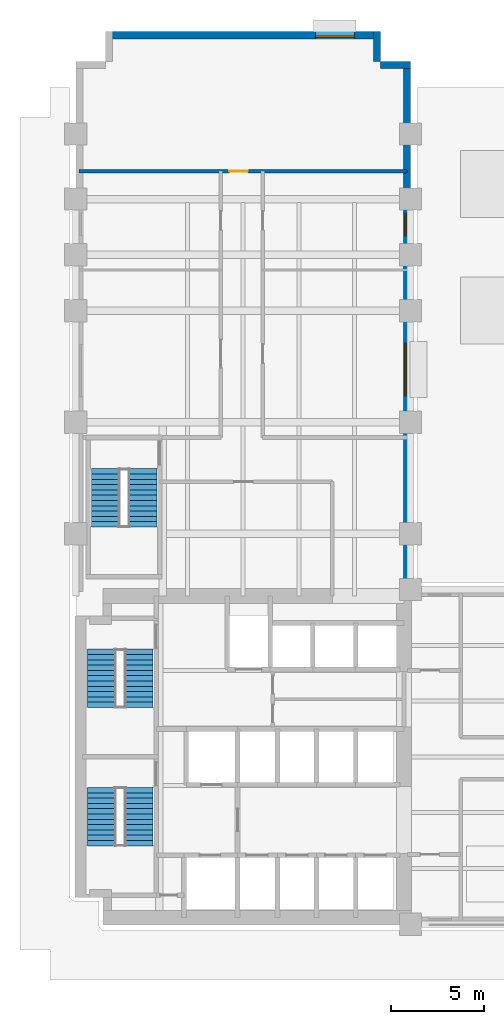
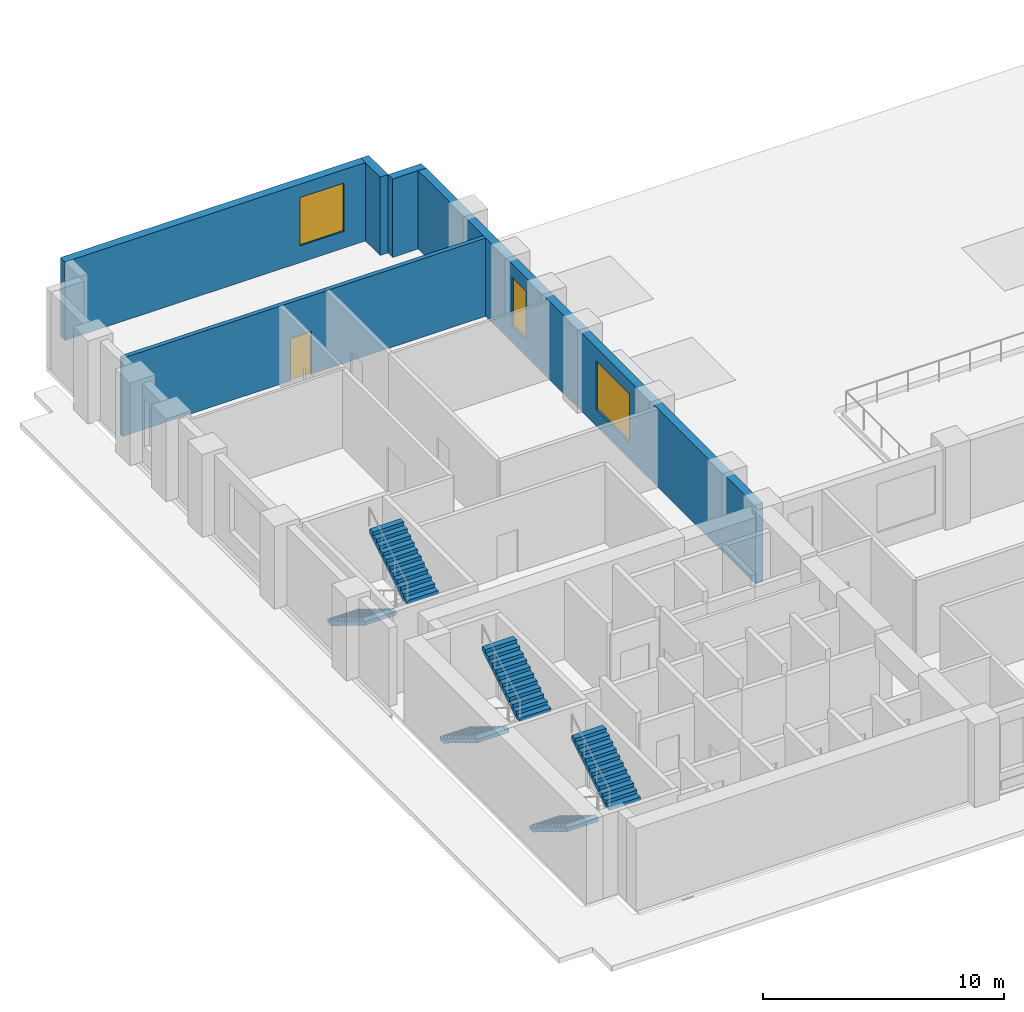
# One storey, part 7 of 9: 6 stair flights, 5 walls, 3 windows, 1 door, 4 openings, 3 elements without a shape of their own.
"""IFC4 building model written with IfcOpenShell, lengths in metres."""

from ifc_helpers import new_model, si_unit, direction, frame, frame_2d, origin, place, context, subcontext, project, spatial, polyline, rectangle, outline, extrude, material, layer, layer_set, type_object, element, fill, aggregate, save


model = new_model("IFC4")

# Units and contexts
model_context = context("Model", 3, precision=1e-05, world=origin(), true_north=direction((0.0, 1.0)))
body_context = subcontext(model_context, "Body", "Model", "MODEL_VIEW")
ifc_project = project(units=[si_unit("LENGTHUNIT", "METRE"), si_unit("AREAUNIT", "SQUARE_METRE"), si_unit("VOLUMEUNIT", "CUBIC_METRE"), si_unit("PLANEANGLEUNIT", "RADIAN"), si_unit("MASSUNIT", "GRAM", prefix="KILO")], contexts=[model_context])

# Site, building, storey
site_placement = place(None, origin())
site = spatial("IfcSite", under=ifc_project, at=site_placement, CompositionType="ELEMENT")
building_placement = place(site_placement, origin())
building = spatial("IfcBuilding", under=site, at=building_placement, Name="Mawjdan Bourse Tower", CompositionType="ELEMENT")
storey_placement = place(building_placement, frame((0.0, 0.0, 21.60009765625)))
storey = spatial("IfcBuildingStorey", under=building, at=storey_placement, Name="L04", CompositionType="ELEMENT", Elevation=21.60009765625)

# Wall, openings, windows
ifc_material_1 = material(Name="Brick Masonry Terracotta Red", Category="masonry")
ifc_layer_1 = layer(ifc_material_1, 0.3798828125)
ifc_layer_set_1 = layer_set([ifc_layer_1], Name="Brick Masonry Terracotta Red")
wall_type_1 = type_object("IfcWallType", Name="WL-BRK-RED-380", PredefinedType="STANDARD", material=ifc_layer_set_1)
wall_1_placement = place(storey_placement, frame((23.81005859375, 21.0, 0.0), z_axis=(0.0, 0.0, 1.0), x_axis=(0.0, 1.0, 0.0)))
wall_1 = element("IfcWall", 1, at=wall_1_placement, inside=storey, type_object=wall_type_1, Name="L04 Exterior Brick Wall 8", PredefinedType="STANDARD", context=body_context, shape_type="SweptSolid", body=[
    extrude(rectangle(XDim=28.39990234375, YDim=0.3798828125, at=frame_2d((14.199951171875, 0.0))), origin(), (0.0, 0.0, 1.0), 3.97998046875),
])
opening_1_placement = place(wall_1_placement, frame((10.433349609375, 0.0, 0.85009765625)))
opening_1 = element("IfcOpeningElement", 2, at=opening_1_placement, cuts=wall_1, Name="Opening W-L04-03", PredefinedType="OPENING", context=body_context, shape_type="SweptSolid", body=[
    extrude(rectangle(XDim=2.800048828125, YDim=2.449951171875, at=frame_2d((1.39990234375, 1.22509765625))), frame((0.0, 0.199951171875, 0.0), z_axis=(0.0, -1.0, 0.0), x_axis=(1.0, 0.0, 0.0)), (0.0, 0.0, 1.0), 0.39990234375),
])
opening_2_placement = place(wall_1_placement, frame((19.034423828125, 0.0, 0.85009765625)))
opening_2 = element("IfcOpeningElement", 3, at=opening_2_placement, cuts=wall_1, Name="Opening W-L04-15", PredefinedType="OPENING", context=body_context, shape_type="SweptSolid", body=[
    extrude(rectangle(XDim=1.199951171875, YDim=2.449951171875, at=frame_2d((0.60009765625, 1.22509765625))), frame((0.0, 0.199951171875, 0.0), z_axis=(0.0, -1.0, 0.0), x_axis=(1.0, 0.0, 0.0)), (0.0, 0.0, 1.0), 0.39990234375),
])
ifc_material_2 = material(Name="Solar-Control Clear Double Glazing", Category="glass")
window_type_1 = type_object("IfcWindowType", Name="WN-TRD-1200", PartitioningType="SINGLE_PANEL", PredefinedType="WINDOW", material=ifc_material_2)
window_1_placement = place(opening_2_placement, origin())
window_1 = element("IfcWindow", 4, at=window_1_placement, inside=storey, type_object=window_type_1, Name="L04 Deep-Set Masonry Window W-L04-15", OverallHeight=2.449951171875, OverallWidth=1.199951171875, PartitioningType="SINGLE_PANEL", PredefinedType="WINDOW", context=body_context, shape_type="SweptSolid", body=[
    extrude(rectangle(XDim=1.199951171875, YDim=2.449951171875, at=frame_2d((0.60009765625, 1.22509765625))), frame((0.0, 0.110107421875, 0.0), z_axis=(0.0, -1.0, 0.0), x_axis=(1.0, 0.0, 0.0)), (0.0, 0.0, 1.0), 0.06005859375),
])
fill(opening_2, window_1)
window_type_2 = type_object("IfcWindowType", Name="WN-TRD-2800", PartitioningType="SINGLE_PANEL", PredefinedType="WINDOW", material=ifc_material_2)
window_2_placement = place(opening_1_placement, origin())
window_2 = element("IfcWindow", 5, at=window_2_placement, inside=storey, type_object=window_type_2, Name="L04 Deep-Set Masonry Window W-L04-03", OverallHeight=2.449951171875, OverallWidth=2.800048828125, PartitioningType="SINGLE_PANEL", PredefinedType="WINDOW", context=body_context, shape_type="SweptSolid", body=[
    extrude(rectangle(XDim=2.800048828125, YDim=2.449951171875, at=frame_2d((1.39990234375, 1.22509765625))), frame((0.0, 0.110107421875, 0.0), z_axis=(0.0, -1.0, 0.0), x_axis=(1.0, 0.0, 0.0)), (0.0, 0.0, 1.0), 0.06005859375),
])
fill(opening_1, window_2)

# Walls
for number, where, z_axis, x_axis, name in (
    (6, (24.0, 49.2099609375, 0.0), (0.0, 0.0, 1.0), (-1.0, 0.0, 0.0), "L04 Exterior Brick Wall 9"),
    (7, (22.2099609375, 49.39990234375, 0.0), (0.0, 0.0, 1.0), (0.0, 1.0, 0.0), "L04 Exterior Brick Wall 10"),
):
    element("IfcWall", number, at=place(storey_placement, frame(where, z_axis=z_axis, x_axis=x_axis)), inside=storey, type_object=wall_type_1, Name=name, PredefinedType="STANDARD", context=body_context, shape_type="SweptSolid", body=[
        extrude(rectangle(XDim=1.60009765625, YDim=0.3798828125, at=frame_2d((0.800048828125, 0.0))), origin(), (0.0, 0.0, 1.0), 3.97998046875),
    ])

# Wall, opening, window
wall_2_placement = place(storey_placement, frame((22.39990234375, 50.81005859375, 0.0), z_axis=(0.0, 0.0, 1.0), x_axis=(-1.0, 0.0, 0.0)))
wall_2 = element("IfcWall", 8, at=wall_2_placement, inside=storey, type_object=wall_type_1, Name="L04 Exterior Brick Wall 11", PredefinedType="STANDARD", context=body_context, shape_type="SweptSolid", body=[
    extrude(rectangle(XDim=14.7998046875, YDim=0.3798828125, at=frame_2d((7.39990234375, 0.0))), origin(), (0.0, 0.0, 1.0), 3.97998046875),
])
opening_3_placement = place(wall_2_placement, frame((1.416748046875, 0.0, 0.85009765625)))
opening_3 = element("IfcOpeningElement", 9, at=opening_3_placement, cuts=wall_2, Name="Opening W-L04-04", PredefinedType="OPENING", context=body_context, shape_type="SweptSolid", body=[
    extrude(rectangle(XDim=2.10009765625, YDim=2.449951171875, at=frame_2d((1.050048828125, 1.22509765625))), frame((0.0, 0.199951171875, 0.0), z_axis=(0.0, -1.0, 0.0), x_axis=(1.0, 0.0, 0.0)), (0.0, 0.0, 1.0), 0.39990234375),
])
window_type_3 = type_object("IfcWindowType", Name="WN-TRD-2100", PartitioningType="SINGLE_PANEL", PredefinedType="WINDOW", material=ifc_material_2)
window_3_placement = place(opening_3_placement, origin())
window_3 = element("IfcWindow", 10, at=window_3_placement, inside=storey, type_object=window_type_3, Name="L04 Deep-Set Masonry Window W-L04-04", OverallHeight=2.449951171875, OverallWidth=2.10009765625, PartitioningType="SINGLE_PANEL", PredefinedType="WINDOW", context=body_context, shape_type="SweptSolid", body=[
    extrude(rectangle(XDim=2.10009765625, YDim=2.449951171875, at=frame_2d((1.050048828125, 1.22509765625))), frame((0.0, 0.110107421875, 0.0), z_axis=(0.0, -1.0, 0.0), x_axis=(1.0, 0.0, 0.0)), (0.0, 0.0, 1.0), 0.06005859375),
])
fill(opening_3, window_3)

# Wall, opening, door
ifc_material_3 = material(Name="Gypsum Fireboard Assembly")
ifc_layer_2 = layer(ifc_material_3, 0.199951171875)
ifc_layer_set_2 = layer_set([ifc_layer_2], Name="Gypsum Fireboard Assembly")
wall_type_2 = type_object("IfcWallType", Name="WL-CMP-200", PredefinedType="PARTITIONING", material=ifc_layer_set_2)
wall_3_placement = place(storey_placement, frame((6.179931640625, 43.5, 0.0), z_axis=(0.0, 0.0, 1.0), x_axis=(1.0, 0.0, 0.0)))
wall_3 = element("IfcWall", 11, at=wall_3_placement, inside=storey, type_object=wall_type_2, Name="L04 North Tip Full Cross Wall", PredefinedType="PARTITIONING", context=body_context, shape_type="SweptSolid", body=[
    extrude(rectangle(XDim=17.64013671875, YDim=0.199951171875, at=frame_2d((8.820068359375, 0.0))), origin(), (0.0, 0.0, 1.0), 3.969970703125),
])
opening_4_placement = place(wall_3_placement, frame((8.074951171875, 0.0, 0.0)))
opening_4 = element("IfcOpeningElement", 12, at=opening_4_placement, cuts=wall_3, Name="Opening D-L04-31", PredefinedType="OPENING", context=body_context, shape_type="SweptSolid", body=[
    extrude(rectangle(XDim=1.0, YDim=2.14990234375, at=frame_2d((0.5, 1.074951171875))), frame((0.0, 0.10986328125, 0.0), z_axis=(0.0, -1.0, 0.0), x_axis=(1.0, 0.0, 0.0)), (0.0, 0.0, 1.0), 0.219970703125),
])
ifc_material_4 = material(Name="Hardwood Acoustic Leaf", Category="wood")
door_type = type_object("IfcDoorType", Name="DR-OFC-1000", OperationType="NOTDEFINED", PredefinedType="DOOR", material=ifc_material_4)
door_placement = place(opening_4_placement, origin())
door = element("IfcDoor", 13, at=door_placement, inside=storey, type_object=door_type, Name="L04 North Tip Suite Door D-L04-31", OperationType="SINGLE_SWING_LEFT", OverallHeight=2.14990234375, OverallWidth=1.0, PredefinedType="DOOR", context=body_context, shape_type="SweptSolid", body=[
    extrude(rectangle(XDim=1.0, YDim=2.14990234375, at=frame_2d((0.5, 1.074951171875))), frame((0.0, 0.02490234375, 0.0), z_axis=(0.0, -1.0, 0.0), x_axis=(1.0, 0.0, 0.0)), (0.0, 0.0, 1.0), 0.050048828125),
])
fill(opening_4, door)

# Stair, stair flights
ifc_material_5 = material(Name="Concrete C50/60", Category="concrete")
stair_type = type_object("IfcStairType", Name="STR-CORE-1500", PredefinedType="HALF_TURN_STAIR", material=ifc_material_5)
stair_1_placement = place(storey_placement, origin())
stair_1 = element("IfcStair", 14, at=stair_1_placement, inside=storey, type_object=stair_type, Name="L04 Exit Stair 1 (Core South-West)", PredefinedType="HALF_TURN_STAIR")
stair_flight_type = type_object("IfcStairFlightType", Name="SFL-RC-1500", PredefinedType="STRAIGHT", material=ifc_material_5)
stair_flight_1_placement = place(storey_placement, frame((7.389892578125, 10.35009765625, 0.0), z_axis=(0.0, 0.0, 1.0), x_axis=(0.0, -1.0, 0.0)))
stair_flight_1 = element("IfcStairFlight", 15, at=stair_flight_1_placement, type_object=stair_flight_type, Name="ST1-L04 flight 1", NumberOfRisers=12, NumberOfTreads=11, PredefinedType="STRAIGHT", RiserHeight=0.175, TreadLength=0.285, context=body_context, shape_type="SweptSolid", body=[
    extrude(outline(polyline([(0.0, 0.0), (0.0, 0.175048828125), (0.284912109375, 0.175048828125), (0.284912109375, 0.35009765625), (0.570068359375, 0.35009765625), (0.570068359375, 0.52490234375), (0.85498046875, 0.52490234375), (0.85498046875, 0.699951171875), (1.139892578125, 0.699951171875), (1.139892578125, 0.875), (1.425048828125, 0.875), (1.425048828125, 1.050048828125), (1.7099609375, 1.050048828125), (1.7099609375, 1.22509765625), (1.9951171875, 1.22509765625), (1.9951171875, 1.39990234375), (2.280029296875, 1.39990234375), (2.280029296875, 1.574951171875), (2.56494140625, 1.574951171875), (2.56494140625, 1.75), (2.85009765625, 1.75), (2.85009765625, 1.925048828125), (3.135009765625, 1.925048828125), (3.135009765625, 2.10009765625), (3.135009765625, 1.7373046875), (0.3056640625, 0.0), (0.0, 0.0)])), frame((0.0, 0.75, 0.0), z_axis=(0.0, -1.0, 0.0), x_axis=(1.0, 0.0, 0.0)), (0.0, 0.0, 1.0), 1.5),
])
stair_flight_2_placement = place(storey_placement, frame((9.409912109375, 7.215087890625, 2.099853515625), z_axis=(0.0, 0.0, 1.0), x_axis=(0.0, 1.0, 0.0)))
stair_flight_2 = element("IfcStairFlight", 16, at=stair_flight_2_placement, type_object=stair_flight_type, Name="ST1-L04 flight 2", NumberOfRisers=12, NumberOfTreads=11, PredefinedType="STRAIGHT", RiserHeight=0.175, TreadLength=0.285, context=body_context, shape_type="SweptSolid", body=[
    extrude(outline(polyline([(0.0, 0.0), (0.0, 0.175048828125), (0.284912109375, 0.175048828125), (0.284912109375, 0.35009765625), (0.570068359375, 0.35009765625), (0.570068359375, 0.52490234375), (0.85498046875, 0.52490234375), (0.85498046875, 0.699951171875), (1.139892578125, 0.699951171875), (1.139892578125, 0.875), (1.425048828125, 0.875), (1.425048828125, 1.050048828125), (1.7099609375, 1.050048828125), (1.7099609375, 1.22509765625), (1.9951171875, 1.22509765625), (1.9951171875, 1.39990234375), (2.280029296875, 1.39990234375), (2.280029296875, 1.574951171875), (2.56494140625, 1.574951171875), (2.56494140625, 1.75), (2.85009765625, 1.75), (2.85009765625, 1.925048828125), (3.135009765625, 1.925048828125), (3.135009765625, 2.10009765625), (3.135009765625, 1.7373046875), (0.3056640625, 0.0), (0.0, 0.0)])), frame((0.0, 0.75, 0.0), z_axis=(0.0, -1.0, 0.0), x_axis=(1.0, 0.0, 0.0)), (0.0, 0.0, 1.0), 1.5),
])
aggregate(stair_1, [stair_flight_1, stair_flight_2])

stair_2_placement = place(storey_placement, origin())
stair_2 = element("IfcStair", 17, at=stair_2_placement, inside=storey, type_object=stair_type, Name="L04 Exit Stair 2 (Core North-West)", PredefinedType="HALF_TURN_STAIR")
stair_flight_3_placement = place(storey_placement, frame((7.389892578125, 17.7900390625, 0.0), z_axis=(0.0, 0.0, 1.0), x_axis=(0.0, -1.0, 0.0)))
stair_flight_3 = element("IfcStairFlight", 18, at=stair_flight_3_placement, type_object=stair_flight_type, Name="ST2-L04 flight 1", NumberOfRisers=12, NumberOfTreads=11, PredefinedType="STRAIGHT", RiserHeight=0.175, TreadLength=0.285, context=body_context, shape_type="SweptSolid", body=[
    extrude(outline(polyline([(0.0, 0.0), (0.0, 0.175048828125), (0.284912109375, 0.175048828125), (0.284912109375, 0.35009765625), (0.570068359375, 0.35009765625), (0.570068359375, 0.52490234375), (0.85498046875, 0.52490234375), (0.85498046875, 0.699951171875), (1.139892578125, 0.699951171875), (1.139892578125, 0.875), (1.425048828125, 0.875), (1.425048828125, 1.050048828125), (1.7099609375, 1.050048828125), (1.7099609375, 1.22509765625), (1.9951171875, 1.22509765625), (1.9951171875, 1.39990234375), (2.280029296875, 1.39990234375), (2.280029296875, 1.574951171875), (2.56494140625, 1.574951171875), (2.56494140625, 1.75), (2.85009765625, 1.75), (2.85009765625, 1.925048828125), (3.135009765625, 1.925048828125), (3.135009765625, 2.10009765625), (3.135009765625, 1.7373046875), (0.3056640625, 0.0), (0.0, 0.0)])), frame((0.0, 0.75, 0.0), z_axis=(0.0, -1.0, 0.0), x_axis=(1.0, 0.0, 0.0)), (0.0, 0.0, 1.0), 1.5),
])
stair_flight_4_placement = place(storey_placement, frame((9.409912109375, 14.655029296875, 2.099853515625), z_axis=(0.0, 0.0, 1.0), x_axis=(0.0, 1.0, 0.0)))
stair_flight_4 = element("IfcStairFlight", 19, at=stair_flight_4_placement, type_object=stair_flight_type, Name="ST2-L04 flight 2", NumberOfRisers=12, NumberOfTreads=11, PredefinedType="STRAIGHT", RiserHeight=0.175, TreadLength=0.285, context=body_context, shape_type="SweptSolid", body=[
    extrude(outline(polyline([(0.0, 0.0), (0.0, 0.175048828125), (0.284912109375, 0.175048828125), (0.284912109375, 0.35009765625), (0.570068359375, 0.35009765625), (0.570068359375, 0.52490234375), (0.85498046875, 0.52490234375), (0.85498046875, 0.699951171875), (1.139892578125, 0.699951171875), (1.139892578125, 0.875), (1.425048828125, 0.875), (1.425048828125, 1.050048828125), (1.7099609375, 1.050048828125), (1.7099609375, 1.22509765625), (1.9951171875, 1.22509765625), (1.9951171875, 1.39990234375), (2.280029296875, 1.39990234375), (2.280029296875, 1.574951171875), (2.56494140625, 1.574951171875), (2.56494140625, 1.75), (2.85009765625, 1.75), (2.85009765625, 1.925048828125), (3.135009765625, 1.925048828125), (3.135009765625, 2.10009765625), (3.135009765625, 1.7373046875), (0.3056640625, 0.0), (0.0, 0.0)])), frame((0.0, 0.75, 0.0), z_axis=(0.0, -1.0, 0.0), x_axis=(1.0, 0.0, 0.0)), (0.0, 0.0, 1.0), 1.5),
])
aggregate(stair_2, [stair_flight_3, stair_flight_4])

stair_3_placement = place(storey_placement, origin())
stair_3 = element("IfcStair", 20, at=stair_3_placement, inside=storey, type_object=stair_type, Name="L04 Exit Stair 3 (North Wing)", PredefinedType="HALF_TURN_STAIR")
stair_flight_5_placement = place(storey_placement, frame((7.590087890625, 27.5, 0.0), z_axis=(0.0, 0.0, 1.0), x_axis=(0.0, -1.0, 0.0)))
stair_flight_5 = element("IfcStairFlight", 21, at=stair_flight_5_placement, type_object=stair_flight_type, Name="ST3-L04 flight 1", NumberOfRisers=12, NumberOfTreads=11, PredefinedType="STRAIGHT", RiserHeight=0.175, TreadLength=0.285, context=body_context, shape_type="SweptSolid", body=[
    extrude(outline(polyline([(0.0, 0.0), (0.0, 0.175048828125), (0.284912109375, 0.175048828125), (0.284912109375, 0.35009765625), (0.570068359375, 0.35009765625), (0.570068359375, 0.52490234375), (0.85498046875, 0.52490234375), (0.85498046875, 0.699951171875), (1.139892578125, 0.699951171875), (1.139892578125, 0.875), (1.425048828125, 0.875), (1.425048828125, 1.050048828125), (1.7099609375, 1.050048828125), (1.7099609375, 1.22509765625), (1.9951171875, 1.22509765625), (1.9951171875, 1.39990234375), (2.280029296875, 1.39990234375), (2.280029296875, 1.574951171875), (2.56494140625, 1.574951171875), (2.56494140625, 1.75), (2.85009765625, 1.75), (2.85009765625, 1.925048828125), (3.135009765625, 1.925048828125), (3.135009765625, 2.10009765625), (3.135009765625, 1.7373046875), (0.3056640625, 0.0), (0.0, 0.0)])), frame((0.0, 0.75, 0.0), z_axis=(0.0, -1.0, 0.0), x_axis=(1.0, 0.0, 0.0)), (0.0, 0.0, 1.0), 1.5),
])
stair_flight_6_placement = place(storey_placement, frame((9.610107421875, 24.364990234375, 2.099853515625), z_axis=(0.0, 0.0, 1.0), x_axis=(0.0, 1.0, 0.0)))
stair_flight_6 = element("IfcStairFlight", 22, at=stair_flight_6_placement, type_object=stair_flight_type, Name="ST3-L04 flight 2", NumberOfRisers=12, NumberOfTreads=11, PredefinedType="STRAIGHT", RiserHeight=0.175, TreadLength=0.285, context=body_context, shape_type="SweptSolid", body=[
    extrude(outline(polyline([(0.0, 0.0), (0.0, 0.175048828125), (0.284912109375, 0.175048828125), (0.284912109375, 0.35009765625), (0.570068359375, 0.35009765625), (0.570068359375, 0.52490234375), (0.85498046875, 0.52490234375), (0.85498046875, 0.699951171875), (1.139892578125, 0.699951171875), (1.139892578125, 0.875), (1.425048828125, 0.875), (1.425048828125, 1.050048828125), (1.7099609375, 1.050048828125), (1.7099609375, 1.22509765625), (1.9951171875, 1.22509765625), (1.9951171875, 1.39990234375), (2.280029296875, 1.39990234375), (2.280029296875, 1.574951171875), (2.56494140625, 1.574951171875), (2.56494140625, 1.75), (2.85009765625, 1.75), (2.85009765625, 1.925048828125), (3.135009765625, 1.925048828125), (3.135009765625, 2.10009765625), (3.135009765625, 1.7373046875), (0.3056640625, 0.0), (0.0, 0.0)])), frame((0.0, 0.75, 0.0), z_axis=(0.0, -1.0, 0.0), x_axis=(1.0, 0.0, 0.0)), (0.0, 0.0, 1.0), 1.5),
])
aggregate(stair_3, [stair_flight_5, stair_flight_6])

save(model, "model.ifc")
